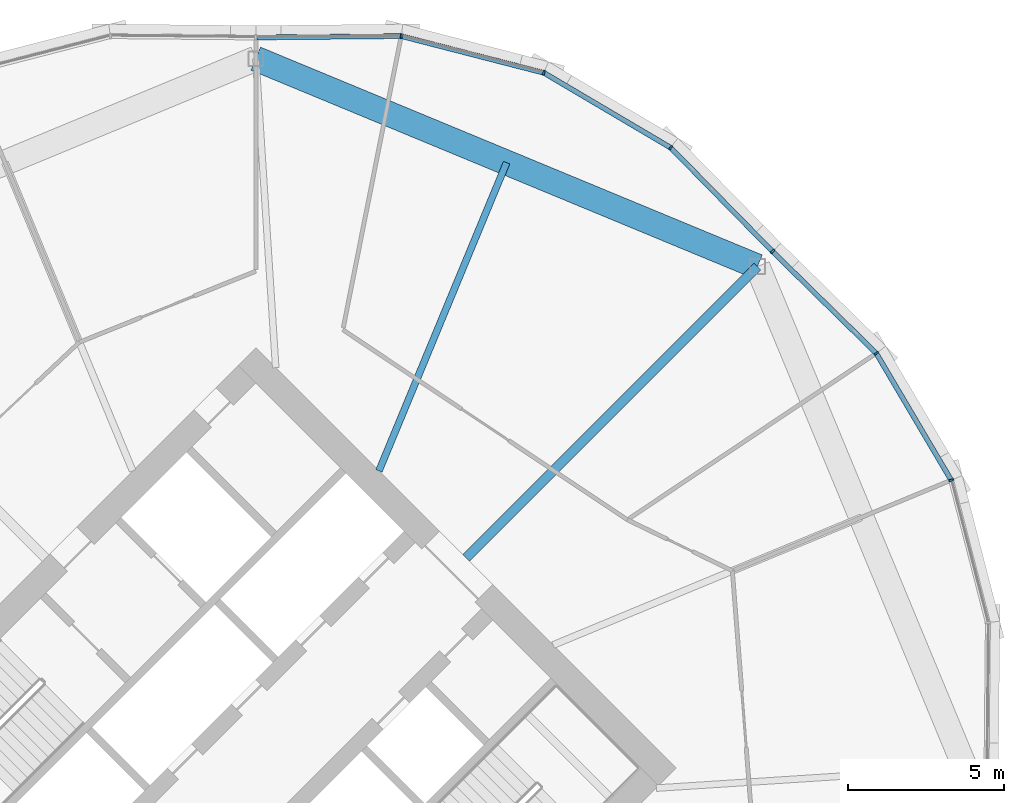
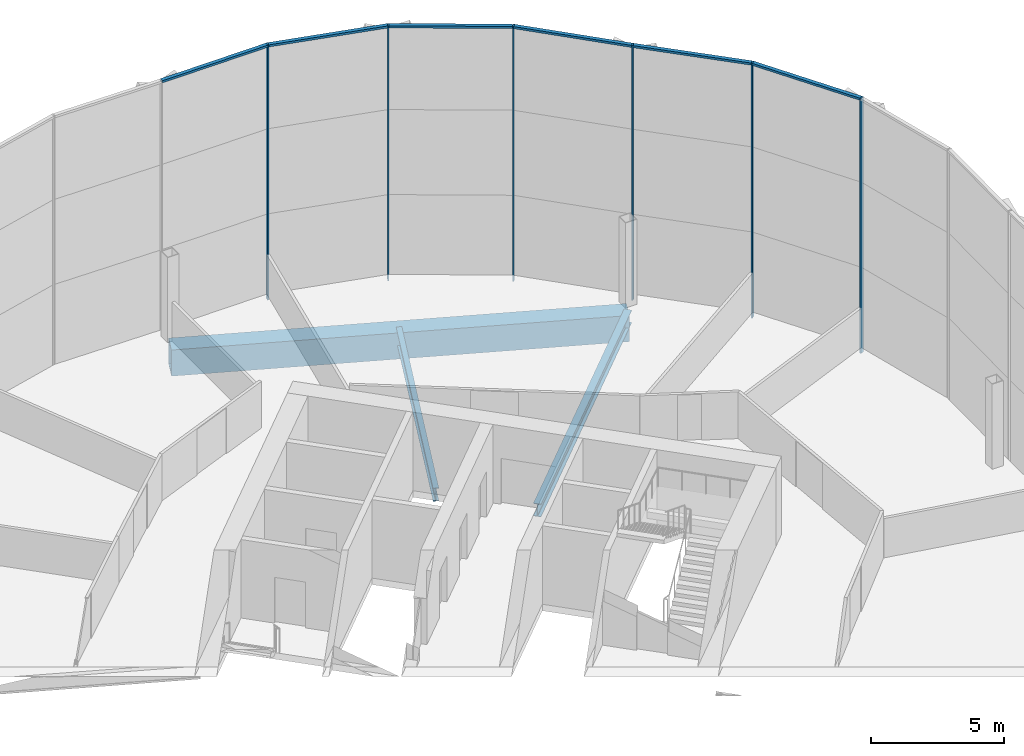
# One storey, part 15 of 26: 12 members, 3 beams, 2 elements without a shape of their own.
"""IFC4 building model written with IfcOpenShell, lengths in metres."""

from ifc_helpers import new_model, si_unit, direction, frame, origin, origin_2d, place, context, subcontext, project, spatial, rectangle, hollow_rectangle, i_section, extrude, material, material_profile, profile_set, type_object, element, aggregate, save


model = new_model("IFC4")

# Units and contexts
model_context = context("Model", 3, precision=1e-05, world=origin(), true_north=direction((0.0, 1.0)))
body_context = subcontext(model_context, "Body", "Model", "MODEL_VIEW")
ifc_project = project(units=[si_unit("LENGTHUNIT", "METRE"), si_unit("AREAUNIT", "SQUARE_METRE"), si_unit("VOLUMEUNIT", "CUBIC_METRE"), si_unit("PLANEANGLEUNIT", "RADIAN"), si_unit("MASSUNIT", "GRAM", prefix="KILO")], contexts=[model_context])

# Site, building, storey
site_placement = place(None, origin())
site = spatial("IfcSite", under=ifc_project, at=site_placement, CompositionType="ELEMENT")
building_placement = place(site_placement, origin())
building = spatial("IfcBuilding", under=site, at=building_placement, Name="Ogive Gate Towers", CompositionType="ELEMENT")
storey_placement = place(building_placement, frame((0.0, 0.0, 87.89990234375)))
storey = spatial("IfcBuildingStorey", under=building, at=storey_placement, Name="L20", CompositionType="ELEMENT", Elevation=87.89990234375)

# Beams
ifc_material_1 = material(Name="Steel SM460", Category="steel")
ifc_material_profile_1 = material_profile(ifc_material_1, hollow_rectangle(XDim=0.800048828125, YDim=1.199951171875, WallThickness=0.050048828125, at=origin_2d()), Name="BX 1200x800x50")
ifc_profile_set_1 = profile_set([ifc_material_profile_1], Name="Steel SM460")
beam_type_1 = type_object("IfcBeamType", Name="Edge girder BX 1200x800x50", PredefinedType="BEAM", material=ifc_profile_set_1)
beam_1_placement = place(storey_placement, frame((52.030029296875, 16.030029296875, -0.89990234375), z_axis=(-0.923878777792, 0.382685254414, 0.0), x_axis=(-0.382685254414, -0.923878777792, 0.0)))
element("IfcBeam", 1, at=beam_1_placement, inside=storey, type_object=beam_type_1, Name="T2/L20/SBM021", PredefinedType="BEAM", context=body_context, shape_type="SweptSolid", body=[
    extrude(hollow_rectangle(XDim=0.800048828125, YDim=1.199951171875, WallThickness=0.050048828125, at=origin_2d()), origin(), (0.0, 0.0, 1.0), 17.350830078125),
])
ifc_material_2 = material(Name="Steel SM355", Category="steel")
ifc_material_profile_2 = material_profile(ifc_material_2, i_section(OverallWidth=0.300048828125, OverallDepth=0.590087890625, WebThickness=0.012939453125, FlangeThickness=0.02490234375, FilletRadius=0.027099609375, at=origin_2d()), Name="HE 600 A")
ifc_profile_set_2 = profile_set([ifc_material_profile_2], Name="Steel SM355")
beam_type_2 = type_object("IfcBeamType", Name="Radial floor beam HE 600 A", PredefinedType="BEAM", material=ifc_profile_set_2)
beam_2_placement = place(storey_placement, frame((42.717529296875, 6.717529296875, -0.594970703125), z_axis=(0.707106781187, 0.707106781187, 0.0), x_axis=(-0.707106781187, 0.707106781187, 0.0)))
element("IfcBeam", 2, at=beam_2_placement, inside=storey, type_object=beam_type_2, Name="T2/L20/SBM009", PredefinedType="BEAM", context=body_context, shape_type="SweptSolid", body=[
    extrude(i_section(OverallWidth=0.300048828125, OverallDepth=0.590087890625, WebThickness=0.012939453125, FlangeThickness=0.02490234375, FilletRadius=0.027099609375, at=origin_2d()), origin(), (0.0, 0.0, 1.0), 13.169921875),
])
ifc_material_profile_3 = material_profile(ifc_material_2, i_section(OverallWidth=0.219970703125, OverallDepth=0.60009765625, WebThickness=0.011962890625, FlangeThickness=0.01904296875, FilletRadius=0.02392578125, at=origin_2d()), Name="IPE 600")
ifc_profile_set_3 = profile_set([ifc_material_profile_3], Name="Steel SM355")
beam_type_3 = type_object("IfcBeamType", Name="Radial floor beam IPE 600", PredefinedType="BEAM", material=ifc_profile_set_3)
beam_3_placement = place(storey_placement, frame((39.93505859375, 9.5, -0.599853515625), z_axis=(0.382686161148, 0.923878402208, 0.0), x_axis=(-0.923878402208, 0.382686161148, 0.0)))
element("IfcBeam", 3, at=beam_3_placement, inside=storey, type_object=beam_type_3, Name="T2/L20/SBM010", PredefinedType="BEAM", context=body_context, shape_type="SweptSolid", body=[
    extrude(i_section(OverallWidth=0.219970703125, OverallDepth=0.60009765625, WebThickness=0.011962890625, FlangeThickness=0.01904296875, FilletRadius=0.02392578125, at=origin_2d()), origin(), (0.0, 0.0, 1.0), 10.66162109375),
])

# Curtain wall, members
ifc_material_3 = material(Name="Pale metal aluminium", Category="aluminium")
curtain_wall_type = type_object("IfcCurtainWallType", Name="Tower unitised wall, low zone", PredefinedType="NOTDEFINED", material=ifc_material_3)
curtain_wall_1_placement = place(storey_placement, origin())
curtain_wall_1 = element("IfcCurtainWall", 4, at=curtain_wall_1_placement, inside=storey, type_object=curtain_wall_type, Name="CW1 T2 ECW01", PredefinedType="NOTDEFINED")
ifc_material_profile_4 = material_profile(ifc_material_3, rectangle(XDim=0.159912109375, YDim=0.06005859375, at=origin_2d()), Name="60 x 160 aluminium box")
ifc_profile_set_4 = profile_set([ifc_material_profile_4], Name="Pale metal aluminium")
member_type_1 = type_object("IfcMemberType", Name="Tower unitised wall, low zone mullion 60 x 160", PredefinedType="MULLION", material=ifc_profile_set_4)
member_1_placement = place(storey_placement, frame((58.22021484375, 9.203857421875, -0.2998046875), z_axis=(0.0, 0.0, 1.0), x_axis=(0.923879532511, 0.382683432365, 0.0)))
member_1 = element("IfcMember", 5, at=member_1_placement, type_object=member_type_1, Name="CW1 mullion", PredefinedType="MULLION", context=body_context, shape_type="SweptSolid", body=[
    extrude(rectangle(XDim=0.159912109375, YDim=0.06005859375, at=origin_2d()), origin(), (0.0, 0.0, 1.0), 11.699951171875),
])
member_2_placement = place(storey_placement, frame((55.827880859375, 13.255859375, -0.2998046875), z_axis=(0.0, 0.0, 1.0), x_axis=(0.787494701787, 0.616321421546, 0.0)))
member_2 = element("IfcMember", 6, at=member_2_placement, type_object=member_type_1, Name="CW1 mullion", PredefinedType="MULLION", context=body_context, shape_type="SweptSolid", body=[
    extrude(rectangle(XDim=0.159912109375, YDim=0.06005859375, at=origin_2d()), origin(), (0.0, 0.0, 1.0), 11.699951171875),
])
member_3_placement = place(storey_placement, frame((52.510986328125, 16.5107421875, -0.2998046875), z_axis=(0.0, 0.0, 1.0), x_axis=(0.700473433647, 0.713678477155, 0.0)))
member_3 = element("IfcMember", 7, at=member_3_placement, type_object=member_type_1, Name="CW1 mullion", PredefinedType="MULLION", context=body_context, shape_type="SweptSolid", body=[
    extrude(rectangle(XDim=0.159912109375, YDim=0.06005859375, at=origin_2d()), origin(), (0.0, 0.0, 1.0), 11.699951171875),
])

curtain_wall_2_placement = place(storey_placement, origin())
curtain_wall_2 = element("IfcCurtainWall", 8, at=curtain_wall_2_placement, inside=storey, type_object=curtain_wall_type, Name="CW1 T2 ECW02", PredefinedType="NOTDEFINED")
member_4_placement = place(storey_placement, frame((49.255859375, 19.827880859375, -0.2998046875), z_axis=(0.0, 0.0, 1.0), x_axis=(0.616321421546, 0.787494701787, 0.0)))
member_4 = element("IfcMember", 9, at=member_4_placement, type_object=member_type_1, Name="CW1 mullion", PredefinedType="MULLION", context=body_context, shape_type="SweptSolid", body=[
    extrude(rectangle(XDim=0.159912109375, YDim=0.06005859375, at=origin_2d()), origin(), (0.0, 0.0, 1.0), 11.699951171875),
])
member_5_placement = place(storey_placement, frame((45.203857421875, 22.22021484375, -0.2998046875), z_axis=(0.0, 0.0, 1.0), x_axis=(0.382683432365, 0.923879532511, 0.0)))
member_5 = element("IfcMember", 10, at=member_5_placement, type_object=member_type_1, Name="CW1 mullion", PredefinedType="MULLION", context=body_context, shape_type="SweptSolid", body=[
    extrude(rectangle(XDim=0.159912109375, YDim=0.06005859375, at=origin_2d()), origin(), (0.0, 0.0, 1.0), 11.699951171875),
])
member_6_placement = place(storey_placement, frame((40.647216796875, 23.3935546875, -0.2998046875), z_axis=(0.0, 0.0, 1.0), x_axis=(0.121037787217, 0.992647900348, 0.0)))
member_6 = element("IfcMember", 11, at=member_6_placement, type_object=member_type_1, Name="CW1 mullion", PredefinedType="MULLION", context=body_context, shape_type="SweptSolid", body=[
    extrude(rectangle(XDim=0.159912109375, YDim=0.06005859375, at=origin_2d()), origin(), (0.0, 0.0, 1.0), 11.699951171875),
])

# Member
ifc_material_profile_5 = material_profile(ifc_material_3, rectangle(XDim=0.159912109375, YDim=0.10009765625, at=origin_2d()), Name="100 x 160 aluminium box")
ifc_profile_set_5 = profile_set([ifc_material_profile_5], Name="Pale metal aluminium")
member_type_2 = type_object("IfcMemberType", Name="Tower unitised wall, low zone transom 100 x 160", PredefinedType="USERDEFINED", material=ifc_profile_set_5)
member_7_placement = place(storey_placement, frame((58.206298828125, 9.227294921875, 11.35009765625), z_axis=(-0.508446321339, 0.861093687305, 0.0), x_axis=(-0.861093687305, -0.508446321339, 0.0)))
member_7 = element("IfcMember", 12, at=member_7_placement, type_object=member_type_2, Name="CW1 transom", ObjectType="TRANSOM", PredefinedType="USERDEFINED", context=body_context, shape_type="SweptSolid", body=[
    extrude(rectangle(XDim=0.159912109375, YDim=0.10009765625, at=origin_2d()), origin(), (0.0, 0.0, 1.0), 4.65087890625),
])

member_8_placement = place(storey_placement, frame((55.80810546875, 13.27490234375, 11.35009765625), z_axis=(-0.713698369312, 0.700453165916, 0.0), x_axis=(-0.700453165916, -0.713698369312, 0.0)))
member_8 = element("IfcMember", 13, at=member_8_placement, type_object=member_type_2, Name="CW1 transom", ObjectType="TRANSOM", PredefinedType="USERDEFINED", context=body_context, shape_type="SweptSolid", body=[
    extrude(rectangle(XDim=0.159912109375, YDim=0.10009765625, at=origin_2d()), origin(), (0.0, 0.0, 1.0), 4.589599609375),
])

aggregate(curtain_wall_1, [member_1, member_2, member_7, member_3, member_8])

member_9_placement = place(storey_placement, frame((52.48974609375, 16.532470703125, 11.35009765625), z_axis=(-0.700453165916, 0.713698369312, 0.0), x_axis=(-0.713698369312, -0.700453165916, 0.0)))
member_9 = element("IfcMember", 14, at=member_9_placement, type_object=member_type_2, Name="CW1 transom", ObjectType="TRANSOM", PredefinedType="USERDEFINED", context=body_context, shape_type="SweptSolid", body=[
    extrude(rectangle(XDim=0.159912109375, YDim=0.10009765625, at=origin_2d()), origin(), (0.0, 0.0, 1.0), 4.589599609375),
])

member_10_placement = place(storey_placement, frame((49.232177734375, 19.841552734375, 11.35009765625), z_axis=(-0.861093687305, 0.508446321339, 0.0), x_axis=(-0.508446321339, -0.861093687305, 0.0)))
member_10 = element("IfcMember", 15, at=member_10_placement, type_object=member_type_2, Name="CW1 transom", ObjectType="TRANSOM", PredefinedType="USERDEFINED", context=body_context, shape_type="SweptSolid", body=[
    extrude(rectangle(XDim=0.159912109375, YDim=0.10009765625, at=origin_2d()), origin(), (0.0, 0.0, 1.0), 4.65087890625),
])

member_11_placement = place(storey_placement, frame((45.177490234375, 22.226806640625, 11.35009765625), z_axis=(-0.968401345103, 0.249396942248, 0.0), x_axis=(-0.249396942248, -0.968401345103, 0.0)))
member_11 = element("IfcMember", 16, at=member_11_placement, type_object=member_type_2, Name="CW1 transom", ObjectType="TRANSOM", PredefinedType="USERDEFINED", context=body_context, shape_type="SweptSolid", body=[
    extrude(rectangle(XDim=0.159912109375, YDim=0.10009765625, at=origin_2d()), origin(), (0.0, 0.0, 1.0), 4.65087890625),
])

member_12_placement = place(storey_placement, frame((40.61962890625, 23.39306640625, 11.35009765625), z_axis=(-0.999956669412, -0.009309097625, 0.0), x_axis=(0.009309097625, -0.999956669412, 0.0)))
member_12 = element("IfcMember", 17, at=member_12_placement, type_object=member_type_2, Name="CW1 transom", ObjectType="TRANSOM", PredefinedType="USERDEFINED", context=body_context, shape_type="SweptSolid", body=[
    extrude(rectangle(XDim=0.159912109375, YDim=0.10009765625, at=origin_2d()), origin(), (0.0, 0.0, 1.0), 4.589599609375),
])

aggregate(curtain_wall_2, [member_4, member_9, member_5, member_10, member_6, member_11, member_12])

save(model, "model.ifc")
